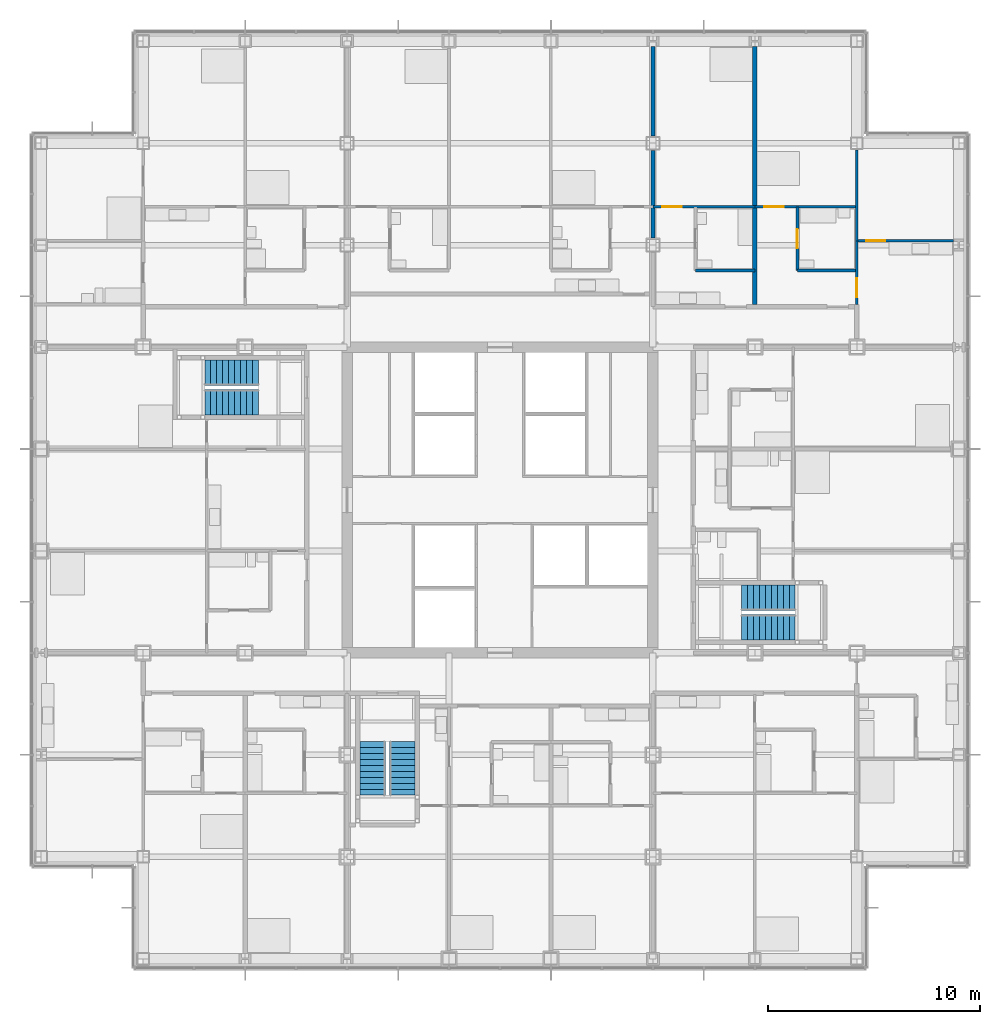
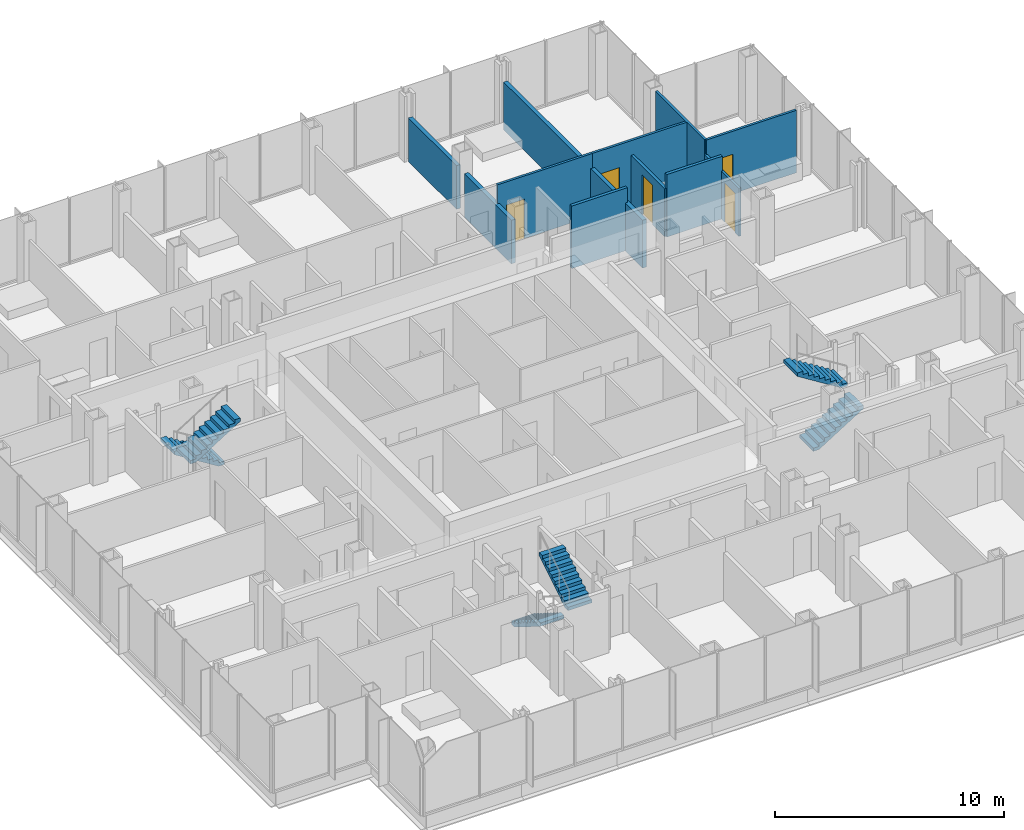
# One storey, part 18 of 21: 11 walls, 6 stair flights, 5 doors, 5 openings, 3 elements without a shape of their own.
"""IFC4 building model written with IfcOpenShell, lengths in metres."""

from ifc_helpers import new_model, si_unit, direction, frame, frame_2d, origin, place, context, subcontext, project, spatial, polyline, rectangle, outline, extrude, material, layer, layer_set, type_object, element, fill, aggregate, save


model = new_model("IFC4")

# Units and contexts
model_context = context("Model", 3, precision=1e-05, world=origin(), true_north=direction((0.0, 1.0)))
body_context = subcontext(model_context, "Body", "Model", "MODEL_VIEW")
ifc_project = project(units=[si_unit("LENGTHUNIT", "METRE"), si_unit("AREAUNIT", "SQUARE_METRE"), si_unit("VOLUMEUNIT", "CUBIC_METRE"), si_unit("PLANEANGLEUNIT", "RADIAN"), si_unit("MASSUNIT", "GRAM", prefix="KILO")], contexts=[model_context])

# Site, building, storey
site_placement = place(None, origin())
site = spatial("IfcSite", under=ifc_project, at=site_placement, CompositionType="ELEMENT")
building_placement = place(site_placement, origin())
building = spatial("IfcBuilding", under=site, at=building_placement, Name="Kvirike Care Tower", CompositionType="ELEMENT")
storey_placement = place(building_placement, frame((0.0, 0.0, 44.5)))
storey = spatial("IfcBuildingStorey", under=building, at=storey_placement, Name="L11", CompositionType="ELEMENT", Elevation=44.5)

# Wall, opening, door
ifc_material_1 = material(Name="Moisture-resistant board partition", Category="gypsum")
ifc_layer_1 = layer(ifc_material_1, 0.14990234375)
ifc_layer_set_1 = layer_set([ifc_layer_1], Name="BATHROOM WALL 150")
wall_type_1 = type_object("IfcWallType", Name="BATHROOM WALL 150", PredefinedType="PARTITIONING", material=ifc_layer_set_1)
wall_1_placement = place(storey_placement, frame((35.60009765625, 49.800048828125, 0.0), z_axis=(0.0, 0.0, 1.0), x_axis=(0.0, -1.0, 0.0)))
wall_1 = element("IfcWall", 1, at=wall_1_placement, inside=storey, type_object=wall_type_1, Name="Bathroom Wall 150 L11", PredefinedType="PARTITIONING", context=body_context, shape_type="SweptSolid", body=[
    extrude(rectangle(XDim=3.0, YDim=0.14990234375, at=frame_2d((1.5, 0.0))), origin(), (0.0, 0.0, 1.0), 2.550048828125),
])
opening_1_placement = place(wall_1_placement, frame((1.050048828125, 0.0, 0.0)))
opening_1 = element("IfcOpeningElement", 2, at=opening_1_placement, cuts=wall_1, Name="Opening 11-056", PredefinedType="OPENING", context=body_context, shape_type="SweptSolid", body=[
    extrude(rectangle(XDim=0.89990234375, YDim=2.10009765625, at=frame_2d((0.449951171875, 1.050048828125))), frame((0.0, 0.08544921875, 0.0), z_axis=(0.0, -1.0, 0.0), x_axis=(1.0, 0.0, 0.0)), (0.0, 0.0, 1.0), 0.1708984375),
])
ifc_material_2 = material(Name="Timber door set", Category="wood")
door_type_1 = type_object("IfcDoorType", Name="BATHROOM DOOR 900", OperationType="SINGLE_SWING_RIGHT", PredefinedType="DOOR", material=ifc_material_2)
door_1_placement = place(opening_1_placement, origin())
door_1 = element("IfcDoor", 3, at=door_1_placement, inside=storey, type_object=door_type_1, Name="Bathroom door", OperationType="SINGLE_SWING_LEFT", OverallHeight=2.10009765625, OverallWidth=0.89990234375, PredefinedType="DOOR", context=body_context, shape_type="SweptSolid", body=[
    extrude(rectangle(XDim=0.89990234375, YDim=2.10009765625, at=frame_2d((0.449951171875, 1.050048828125))), frame((0.0, 0.02197265625, 0.0), z_axis=(0.0, -1.0, 0.0), x_axis=(1.0, 0.0, 0.0)), (0.0, 0.0, 1.0), 0.0439453125),
])
fill(opening_1, door_1)

# Walls
wall_2_placement = place(storey_placement, frame((38.39990234375, 46.800048828125, 0.0), z_axis=(0.0, 0.0, 1.0), x_axis=(-1.0, 0.0, 0.0)))
element("IfcWall", 4, at=wall_2_placement, inside=storey, type_object=wall_type_1, Name="Bathroom Wall 150 L11", PredefinedType="PARTITIONING", context=body_context, shape_type="SweptSolid", body=[
    extrude(rectangle(XDim=2.7998046875, YDim=0.14990234375, at=frame_2d((1.39990234375, 0.0))), origin(), (0.0, 0.0, 1.0), 3.330078125),
])
wall_3_placement = place(storey_placement, frame((33.60009765625, 46.800048828125, 0.0), z_axis=(0.0, 0.0, 1.0), x_axis=(-1.0, 0.0, 0.0)))
element("IfcWall", 5, at=wall_3_placement, inside=storey, type_object=wall_type_1, Name="Bathroom Wall 150 L11", PredefinedType="PARTITIONING", context=body_context, shape_type="SweptSolid", body=[
    extrude(rectangle(XDim=2.800048828125, YDim=0.14990234375, at=frame_2d((1.39990234375, 0.0))), origin(), (0.0, 0.0, 1.0), 3.330078125),
])

# Wall, opening, door
ifc_material_3 = material(Name="Plasterboard partition", Category="gypsum")
ifc_layer_2 = layer(ifc_material_3, 0.1201171875)
ifc_layer_set_2 = layer_set([ifc_layer_2], Name="PARTITION 120")
wall_type_2 = type_object("IfcWallType", Name="PARTITION 120", PredefinedType="PARTITIONING", material=ifc_layer_set_2)
wall_4_placement = place(storey_placement, frame((38.39990234375, 48.199951171875, 0.0), z_axis=(0.0, 0.0, 1.0), x_axis=(0.0, -1.0, 0.0)))
wall_4 = element("IfcWall", 6, at=wall_4_placement, inside=storey, type_object=wall_type_2, Name="Partition 120 L11", PredefinedType="PARTITIONING", context=body_context, shape_type="SweptSolid", body=[
    extrude(rectangle(XDim=3.0, YDim=0.1201171875, at=frame_2d((1.5, 0.0))), origin(), (0.0, 0.0, 1.0), 2.550048828125),
])
opening_2_placement = place(wall_4_placement, frame((1.75, 0.0, 0.0)))
opening_2 = element("IfcOpeningElement", 7, at=opening_2_placement, cuts=wall_4, Name="Opening 11-057", PredefinedType="OPENING", context=body_context, shape_type="SweptSolid", body=[
    extrude(rectangle(XDim=0.89990234375, YDim=2.10009765625, at=frame_2d((0.449951171875, 1.050048828125))), frame((0.0, 0.070556640625, 0.0), z_axis=(0.0, -1.0, 0.0), x_axis=(1.0, 0.0, 0.0)), (0.0, 0.0, 1.0), 0.14111328125),
])
ifc_material_4 = material(Name="Timber door set", Category="wood")
door_type_2 = type_object("IfcDoorType", Name="INTERNAL DOOR 900", OperationType="SINGLE_SWING_LEFT", PredefinedType="DOOR", material=ifc_material_4)
door_2_placement = place(opening_2_placement, origin())
door_2 = element("IfcDoor", 8, at=door_2_placement, inside=storey, type_object=door_type_2, Name="Hall door", OperationType="SINGLE_SWING_RIGHT", OverallHeight=2.10009765625, OverallWidth=0.89990234375, PredefinedType="DOOR", context=body_context, shape_type="SweptSolid", body=[
    extrude(rectangle(XDim=0.89990234375, YDim=2.10009765625, at=frame_2d((0.449951171875, 1.050048828125))), frame((0.0, 0.02197265625, 0.0), z_axis=(0.0, -1.0, 0.0), x_axis=(1.0, 0.0, 0.0)), (0.0, 0.0, 1.0), 0.0439453125),
])
fill(opening_2, door_2)

wall_5_placement = place(storey_placement, frame((42.952880859375, 48.199951171875, 0.0), z_axis=(0.0, 0.0, 1.0), x_axis=(-1.0, 0.0, 0.0)))
wall_5 = element("IfcWall", 9, at=wall_5_placement, inside=storey, type_object=wall_type_2, Name="Partition 120 L11", PredefinedType="PARTITIONING", context=body_context, shape_type="SweptSolid", body=[
    extrude(rectangle(XDim=4.552978515625, YDim=0.1201171875, at=frame_2d((2.2763671875, 0.0))), origin(), (0.0, 0.0, 1.0), 3.330078125),
])
opening_3_placement = place(wall_5_placement, frame((3.202880859375, 0.0, 0.0)))
opening_3 = element("IfcOpeningElement", 10, at=opening_3_placement, cuts=wall_5, Name="Opening 11-058", PredefinedType="OPENING", context=body_context, shape_type="SweptSolid", body=[
    extrude(rectangle(XDim=0.89990234375, YDim=2.10009765625, at=frame_2d((0.449951171875, 1.050048828125))), frame((0.0, 0.070556640625, 0.0), z_axis=(0.0, -1.0, 0.0), x_axis=(1.0, 0.0, 0.0)), (0.0, 0.0, 1.0), 0.14111328125),
])
door_3_placement = place(opening_3_placement, frame((0.89990234375, 0.0, 0.0), z_axis=(0.0, 0.0, 1.0), x_axis=(-1.0, 0.0, 0.0)))
door_3 = element("IfcDoor", 11, at=door_3_placement, inside=storey, type_object=door_type_2, Name="Apartment living room door", OperationType="SINGLE_SWING_RIGHT", OverallHeight=2.10009765625, OverallWidth=0.89990234375, PredefinedType="DOOR", context=body_context, shape_type="SweptSolid", body=[
    extrude(rectangle(XDim=0.89990234375, YDim=2.10009765625, at=frame_2d((0.449951171875, 1.050048828125))), frame((0.0, 0.02197265625, 0.0), z_axis=(0.0, -1.0, 0.0), x_axis=(1.0, 0.0, 0.0)), (0.0, 0.0, 1.0), 0.0439453125),
])
fill(opening_3, door_3)

wall_6_placement = place(storey_placement, frame((38.39990234375, 49.800048828125, 0.0), z_axis=(0.0, 0.0, 1.0), x_axis=(-1.0, 0.0, 0.0)))
wall_6 = element("IfcWall", 12, at=wall_6_placement, inside=storey, type_object=wall_type_2, Name="Partition 120 L11", PredefinedType="PARTITIONING", context=body_context, shape_type="SweptSolid", body=[
    extrude(rectangle(XDim=4.7998046875, YDim=0.1201171875, at=frame_2d((2.39990234375, 0.0))), origin(), (0.0, 0.0, 1.0), 3.330078125),
])
opening_4_placement = place(wall_6_placement, frame((3.449951171875, 0.0, 0.0)))
opening_4 = element("IfcOpeningElement", 13, at=opening_4_placement, cuts=wall_6, Name="Opening 11-059", PredefinedType="OPENING", context=body_context, shape_type="SweptSolid", body=[
    extrude(rectangle(XDim=0.89990234375, YDim=2.10009765625, at=frame_2d((0.449951171875, 1.050048828125))), frame((0.0, 0.070556640625, 0.0), z_axis=(0.0, -1.0, 0.0), x_axis=(1.0, 0.0, 0.0)), (0.0, 0.0, 1.0), 0.14111328125),
])
door_4_placement = place(opening_4_placement, origin())
door_4 = element("IfcDoor", 14, at=door_4_placement, inside=storey, type_object=door_type_2, Name="Apartment bedroom door", OperationType="SINGLE_SWING_LEFT", OverallHeight=2.10009765625, OverallWidth=0.89990234375, PredefinedType="DOOR", context=body_context, shape_type="SweptSolid", body=[
    extrude(rectangle(XDim=0.89990234375, YDim=2.10009765625, at=frame_2d((0.449951171875, 1.050048828125))), frame((0.0, 0.02197265625, 0.0), z_axis=(0.0, -1.0, 0.0), x_axis=(1.0, 0.0, 0.0)), (0.0, 0.0, 1.0), 0.0439453125),
])
fill(opening_4, door_4)

# Wall
wall_7_placement = place(storey_placement, frame((38.39990234375, 52.47998046875, 0.0), z_axis=(0.0, 0.0, 1.0), x_axis=(0.0, -1.0, 0.0)))
element("IfcWall", 15, at=wall_7_placement, inside=storey, type_object=wall_type_2, Name="Partition 120 L11", PredefinedType="PARTITIONING", context=body_context, shape_type="SweptSolid", body=[
    extrude(rectangle(XDim=4.280029296875, YDim=0.1201171875, at=frame_2d((2.14013671875, 0.0))), origin(), (0.0, 0.0, 1.0), 3.330078125),
])

# Wall, opening, door
wall_8_placement = place(storey_placement, frame((33.60009765625, 49.800048828125, 0.0), z_axis=(0.0, 0.0, 1.0), x_axis=(-1.0, 0.0, 0.0)))
wall_8 = element("IfcWall", 16, at=wall_8_placement, inside=storey, type_object=wall_type_2, Name="Partition 120 L11", PredefinedType="PARTITIONING", context=body_context, shape_type="SweptSolid", body=[
    extrude(rectangle(XDim=4.800048828125, YDim=0.1201171875, at=frame_2d((2.39990234375, 0.0))), origin(), (0.0, 0.0, 1.0), 3.330078125),
])
opening_5_placement = place(wall_8_placement, frame((3.449951171875, 0.0, 0.0)))
opening_5 = element("IfcOpeningElement", 17, at=opening_5_placement, cuts=wall_8, Name="Opening 11-061", PredefinedType="OPENING", context=body_context, shape_type="SweptSolid", body=[
    extrude(rectangle(XDim=0.89990234375, YDim=2.10009765625, at=frame_2d((0.449951171875, 1.050048828125))), frame((0.0, 0.070556640625, 0.0), z_axis=(0.0, -1.0, 0.0), x_axis=(1.0, 0.0, 0.0)), (0.0, 0.0, 1.0), 0.14111328125),
])
door_5_placement = place(opening_5_placement, origin())
door_5 = element("IfcDoor", 18, at=door_5_placement, inside=storey, type_object=door_type_2, Name="Studio apartment living room door", OperationType="SINGLE_SWING_LEFT", OverallHeight=2.10009765625, OverallWidth=0.89990234375, PredefinedType="DOOR", context=body_context, shape_type="SweptSolid", body=[
    extrude(rectangle(XDim=0.89990234375, YDim=2.10009765625, at=frame_2d((0.449951171875, 1.050048828125))), frame((0.0, 0.02197265625, 0.0), z_axis=(0.0, -1.0, 0.0), x_axis=(1.0, 0.0, 0.0)), (0.0, 0.0, 1.0), 0.0439453125),
])
fill(opening_5, door_5)

# Walls
ifc_material_5 = material(Name="Plasterboard party wall", Category="gypsum")
ifc_layer_3 = layer(ifc_material_5, 0.199951171875)
ifc_layer_set_3 = layer_set([ifc_layer_3], Name="PARTY WALL 200")
wall_type_3 = type_object("IfcWallType", Name="PARTY WALL 200", PredefinedType="PARTITIONING", material=ifc_layer_set_3)
wall_9_placement = place(storey_placement, frame((33.60009765625, 57.35302734375, 0.0), z_axis=(0.0, 0.0, 1.0), x_axis=(0.0, -1.0, 0.0)))
element("IfcWall", 19, at=wall_9_placement, inside=storey, type_object=wall_type_3, Name="Party Wall 200 L11", PredefinedType="PARTITIONING", context=body_context, shape_type="SweptSolid", body=[
    extrude(rectangle(XDim=12.153076171875, YDim=0.199951171875, at=frame_2d((6.07666015625, 0.0))), origin(), (0.0, 0.0, 1.0), 2.550048828125),
])
wall_10_placement = place(storey_placement, frame((28.800048828125, 48.344970703125, 0.0), z_axis=(0.0, 0.0, 1.0), x_axis=(0.0, 1.0, 0.0)))
element("IfcWall", 20, at=wall_10_placement, inside=storey, type_object=wall_type_3, Name="Party Wall 200 L11", PredefinedType="PARTITIONING", context=body_context, shape_type="SweptSolid", body=[
    extrude(rectangle(XDim=4.110107421875, YDim=0.199951171875, at=frame_2d((2.05517578125, 0.0))), origin(), (0.0, 0.0, 1.0), 2.320068359375),
])
wall_11_placement = place(storey_placement, frame((28.800048828125, 53.14501953125, 0.0), z_axis=(0.0, 0.0, 1.0), x_axis=(0.0, 1.0, 0.0)))
element("IfcWall", 21, at=wall_11_placement, inside=storey, type_object=wall_type_3, Name="Party Wall 200 L11", PredefinedType="PARTITIONING", context=body_context, shape_type="SweptSolid", body=[
    extrude(rectangle(XDim=4.2080078125, YDim=0.199951171875, at=frame_2d((2.10400390625, 0.0))), origin(), (0.0, 0.0, 1.0), 2.320068359375),
])

# Stair, stair flights
ifc_material_6 = material(Name="Concrete C35/45", Category="concrete")
stair_type = type_object("IfcStairType", Name="STAIR 20 RISERS", PredefinedType="HALF_TURN_STAIR", material=ifc_material_6)
stair_1_placement = place(storey_placement, origin())
stair_1 = element("IfcStair", 22, at=stair_1_placement, inside=storey, type_object=stair_type, Name="Stair 1 L11", PredefinedType="HALF_TURN_STAIR")
ifc_material_7 = material(Name="Concrete C35/45", Category="concrete")
stair_flight_type = type_object("IfcStairFlightType", Name="FLIGHT 10 RISERS", PredefinedType="STRAIGHT", material=ifc_material_7)
stair_flight_1_placement = place(storey_placement, frame((10.219970703125, 42.0, 0.0), z_axis=(0.0, 0.0, 1.0), x_axis=(-1.0, 0.0, 0.0)))
stair_flight_1 = element("IfcStairFlight", 23, at=stair_flight_1_placement, type_object=stair_flight_type, Name="Stair S1 flight 1 L11-L12", NumberOfRisers=10, NumberOfTreads=9, PredefinedType="STRAIGHT", RiserHeight=0.175, TreadLength=0.28, context=body_context, shape_type="SweptSolid", body=[
    extrude(outline(polyline([(0.0, 0.0), (0.0, 0.175048828125), (0.280029296875, 0.175048828125), (0.280029296875, 0.35009765625), (0.56005859375, 0.35009765625), (0.56005859375, 0.52490234375), (0.840087890625, 0.52490234375), (0.840087890625, 0.699951171875), (1.1201171875, 0.699951171875), (1.1201171875, 0.875), (1.39990234375, 0.875), (1.39990234375, 1.050048828125), (1.679931640625, 1.050048828125), (1.679931640625, 1.22509765625), (1.9599609375, 1.22509765625), (1.9599609375, 1.39990234375), (2.239990234375, 1.39990234375), (2.239990234375, 1.574951171875), (2.52001953125, 1.574951171875), (2.52001953125, 1.75), (2.52001953125, 1.398193359375), (0.28271484375, 0.0), (0.0, 0.0)])), frame((0.0, 0.60009765625, 0.0), z_axis=(0.0, -1.0, 0.0), x_axis=(1.0, 0.0, 0.0)), (0.0, 0.0, 1.0), 1.199951171875),
])
stair_flight_2_placement = place(storey_placement, frame((7.699951171875, 40.60009765625, 1.75), z_axis=(0.0, 0.0, 1.0), x_axis=(1.0, 0.0, 0.0)))
stair_flight_2 = element("IfcStairFlight", 24, at=stair_flight_2_placement, type_object=stair_flight_type, Name="Stair S1 flight 2 L11-L12", NumberOfRisers=10, NumberOfTreads=9, PredefinedType="STRAIGHT", RiserHeight=0.175, TreadLength=0.28, context=body_context, shape_type="SweptSolid", body=[
    extrude(outline(polyline([(0.0, 0.0), (0.0, 0.175048828125), (0.280029296875, 0.175048828125), (0.280029296875, 0.35009765625), (0.56005859375, 0.35009765625), (0.56005859375, 0.52490234375), (0.840087890625, 0.52490234375), (0.840087890625, 0.699951171875), (1.1201171875, 0.699951171875), (1.1201171875, 0.875), (1.39990234375, 0.875), (1.39990234375, 1.050048828125), (1.679931640625, 1.050048828125), (1.679931640625, 1.22509765625), (1.9599609375, 1.22509765625), (1.9599609375, 1.39990234375), (2.239990234375, 1.39990234375), (2.239990234375, 1.574951171875), (2.52001953125, 1.574951171875), (2.52001953125, 1.75), (2.52001953125, 1.398193359375), (0.28271484375, 0.0), (0.0, 0.0)])), frame((0.0, 0.60009765625, 0.0), z_axis=(0.0, -1.0, 0.0), x_axis=(1.0, 0.0, 0.0)), (0.0, 0.0, 1.0), 1.199951171875),
])
aggregate(stair_1, [stair_flight_1, stair_flight_2])

stair_2_placement = place(storey_placement, origin())
stair_2 = element("IfcStair", 25, at=stair_2_placement, inside=storey, type_object=stair_type, Name="Stair 2 L11", PredefinedType="HALF_TURN_STAIR")
stair_flight_3_placement = place(storey_placement, frame((32.97998046875, 30.0, 0.0), z_axis=(0.0, 0.0, 1.0), x_axis=(1.0, 0.0, 0.0)))
stair_flight_3 = element("IfcStairFlight", 26, at=stair_flight_3_placement, type_object=stair_flight_type, Name="Stair S2 flight 1 L11-L12", NumberOfRisers=10, NumberOfTreads=9, PredefinedType="STRAIGHT", RiserHeight=0.175, TreadLength=0.28, context=body_context, shape_type="SweptSolid", body=[
    extrude(outline(polyline([(0.0, 0.0), (0.0, 0.175048828125), (0.280029296875, 0.175048828125), (0.280029296875, 0.35009765625), (0.56005859375, 0.35009765625), (0.56005859375, 0.52490234375), (0.840087890625, 0.52490234375), (0.840087890625, 0.699951171875), (1.1201171875, 0.699951171875), (1.1201171875, 0.875), (1.39990234375, 0.875), (1.39990234375, 1.050048828125), (1.679931640625, 1.050048828125), (1.679931640625, 1.22509765625), (1.9599609375, 1.22509765625), (1.9599609375, 1.39990234375), (2.239990234375, 1.39990234375), (2.239990234375, 1.574951171875), (2.52001953125, 1.574951171875), (2.52001953125, 1.75), (2.52001953125, 1.398193359375), (0.28271484375, 0.0), (0.0, 0.0)])), frame((0.0, 0.60009765625, 0.0), z_axis=(0.0, -1.0, 0.0), x_axis=(1.0, 0.0, 0.0)), (0.0, 0.0, 1.0), 1.199951171875),
])
stair_flight_4_placement = place(storey_placement, frame((35.5, 31.39990234375, 1.75), z_axis=(0.0, 0.0, 1.0), x_axis=(-1.0, 0.0, 0.0)))
stair_flight_4 = element("IfcStairFlight", 27, at=stair_flight_4_placement, type_object=stair_flight_type, Name="Stair S2 flight 2 L11-L12", NumberOfRisers=10, NumberOfTreads=9, PredefinedType="STRAIGHT", RiserHeight=0.175, TreadLength=0.28, context=body_context, shape_type="SweptSolid", body=[
    extrude(outline(polyline([(0.0, 0.0), (0.0, 0.175048828125), (0.280029296875, 0.175048828125), (0.280029296875, 0.35009765625), (0.56005859375, 0.35009765625), (0.56005859375, 0.52490234375), (0.840087890625, 0.52490234375), (0.840087890625, 0.699951171875), (1.1201171875, 0.699951171875), (1.1201171875, 0.875), (1.39990234375, 0.875), (1.39990234375, 1.050048828125), (1.679931640625, 1.050048828125), (1.679931640625, 1.22509765625), (1.9599609375, 1.22509765625), (1.9599609375, 1.39990234375), (2.239990234375, 1.39990234375), (2.239990234375, 1.574951171875), (2.52001953125, 1.574951171875), (2.52001953125, 1.75), (2.52001953125, 1.398193359375), (0.28271484375, 0.0), (0.0, 0.0)])), frame((0.0, 0.60009765625, 0.0), z_axis=(0.0, -1.0, 0.0), x_axis=(1.0, 0.0, 0.0)), (0.0, 0.0, 1.0), 1.199951171875),
])
aggregate(stair_2, [stair_flight_3, stair_flight_4])

stair_3_placement = place(storey_placement, origin())
stair_3 = element("IfcStair", 28, at=stair_3_placement, inside=storey, type_object=stair_type, Name="Stair 5 L11", PredefinedType="HALF_TURN_STAIR")
stair_flight_5_placement = place(storey_placement, frame((15.60009765625, 24.6201171875, 0.0), z_axis=(0.0, 0.0, 1.0), x_axis=(0.0, -1.0, 0.0)))
stair_flight_5 = element("IfcStairFlight", 29, at=stair_flight_5_placement, type_object=stair_flight_type, Name="Stair S5 flight 1 L11-L12", NumberOfRisers=10, NumberOfTreads=9, PredefinedType="STRAIGHT", RiserHeight=0.175, TreadLength=0.28, context=body_context, shape_type="SweptSolid", body=[
    extrude(outline(polyline([(0.0, 0.0), (0.0, 0.175048828125), (0.280029296875, 0.175048828125), (0.280029296875, 0.35009765625), (0.56005859375, 0.35009765625), (0.56005859375, 0.52490234375), (0.840087890625, 0.52490234375), (0.840087890625, 0.699951171875), (1.1201171875, 0.699951171875), (1.1201171875, 0.875), (1.39990234375, 0.875), (1.39990234375, 1.050048828125), (1.679931640625, 1.050048828125), (1.679931640625, 1.22509765625), (1.9599609375, 1.22509765625), (1.9599609375, 1.39990234375), (2.239990234375, 1.39990234375), (2.239990234375, 1.574951171875), (2.52001953125, 1.574951171875), (2.52001953125, 1.75), (2.52001953125, 1.398193359375), (0.28271484375, 0.0), (0.0, 0.0)])), frame((0.0, 0.60009765625, 0.0), z_axis=(0.0, -1.0, 0.0), x_axis=(1.0, 0.0, 0.0)), (0.0, 0.0, 1.0), 1.199951171875),
])
stair_flight_6_placement = place(storey_placement, frame((17.0, 22.10009765625, 1.75), z_axis=(0.0, 0.0, 1.0), x_axis=(0.0, 1.0, 0.0)))
stair_flight_6 = element("IfcStairFlight", 30, at=stair_flight_6_placement, type_object=stair_flight_type, Name="Stair S5 flight 2 L11-L12", NumberOfRisers=10, NumberOfTreads=9, PredefinedType="STRAIGHT", RiserHeight=0.175, TreadLength=0.28, context=body_context, shape_type="SweptSolid", body=[
    extrude(outline(polyline([(0.0, 0.0), (0.0, 0.175048828125), (0.280029296875, 0.175048828125), (0.280029296875, 0.35009765625), (0.56005859375, 0.35009765625), (0.56005859375, 0.52490234375), (0.840087890625, 0.52490234375), (0.840087890625, 0.699951171875), (1.1201171875, 0.699951171875), (1.1201171875, 0.875), (1.39990234375, 0.875), (1.39990234375, 1.050048828125), (1.679931640625, 1.050048828125), (1.679931640625, 1.22509765625), (1.9599609375, 1.22509765625), (1.9599609375, 1.39990234375), (2.239990234375, 1.39990234375), (2.239990234375, 1.574951171875), (2.52001953125, 1.574951171875), (2.52001953125, 1.75), (2.52001953125, 1.398193359375), (0.28271484375, 0.0), (0.0, 0.0)])), frame((0.0, 0.60009765625, 0.0), z_axis=(0.0, -1.0, 0.0), x_axis=(1.0, 0.0, 0.0)), (0.0, 0.0, 1.0), 1.199951171875),
])
aggregate(stair_3, [stair_flight_5, stair_flight_6])

save(model, "model.ifc")
